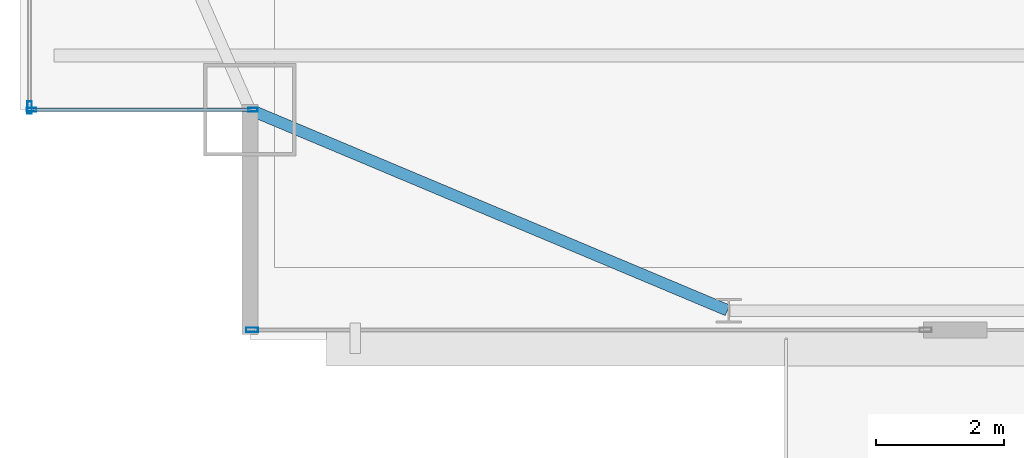
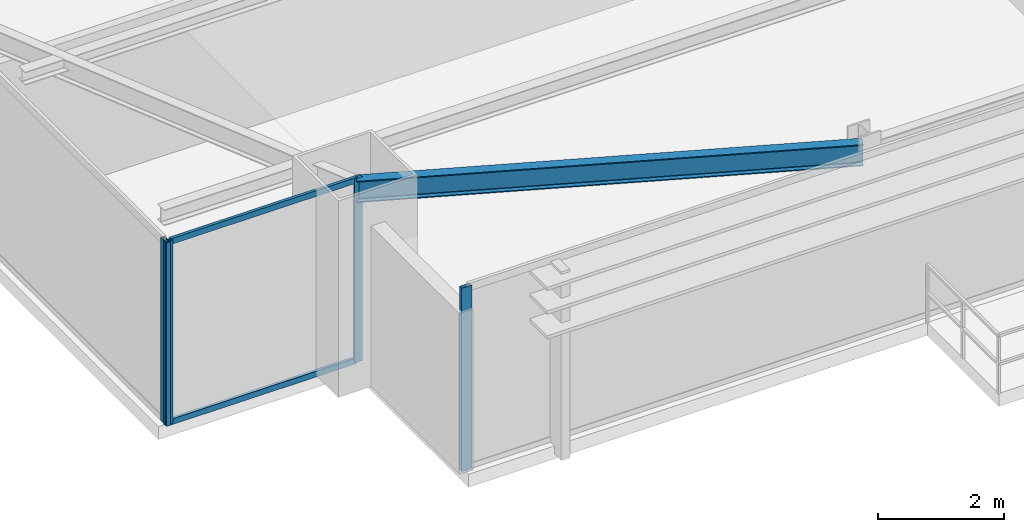
# One storey, part 3 of 32: 6 members, 1 beam, 3 elements without a shape of their own.
"""IFC4 building model written with IfcOpenShell, lengths in metres."""

from ifc_helpers import new_model, si_unit, direction, frame, origin, origin_2d, place, context, subcontext, project, spatial, hollow_rectangle, i_section, extrude, source, transform, mapped, material, layer, layer_set, material_profile, profile_set, type_object, type_shapes, element, aggregate, save


model = new_model("IFC4")

# Units and contexts
model_context = context("Model", 3, precision=1e-05, world=origin(), true_north=direction((0.0, 1.0)))
body_context = subcontext(model_context, "Body", "Model", "MODEL_VIEW")
ifc_project = project(units=[si_unit("LENGTHUNIT", "METRE"), si_unit("AREAUNIT", "SQUARE_METRE"), si_unit("VOLUMEUNIT", "CUBIC_METRE"), si_unit("PLANEANGLEUNIT", "RADIAN"), si_unit("MASSUNIT", "GRAM", prefix="KILO")], contexts=[model_context])

# Site, building, storey
site_placement = place(None, origin())
site = spatial("IfcSite", under=ifc_project, at=site_placement, CompositionType="ELEMENT")
building_placement = place(site_placement, origin())
building = spatial("IfcBuilding", under=site, at=building_placement, Name="Varnel Quay Broadcast Tower", CompositionType="ELEMENT")
storey_placement = place(building_placement, frame((0.0, 0.0, 133.39990234375)))
storey = spatial("IfcBuildingStorey", under=building, at=storey_placement, Name="L32", CompositionType="ELEMENT", Elevation=133.39990234375)

# Beam
ifc_material_1 = material(Name="Structural Steel CSA G40.21 350W", Category="steel")
ifc_material_profile_1 = material_profile(ifc_material_1, i_section(OverallWidth=0.180908203125, OverallDepth=0.4169921875, WebThickness=0.010986328125, FlangeThickness=0.018310546875, FilletRadius=0.011962890625, at=origin_2d()), Name="W410X85")
ifc_profile_set_1 = profile_set([ifc_material_profile_1], Name="Structural Steel CSA G40.21 350W")
beam_type = type_object("IfcBeamType", Name="Beam_W410X85", PredefinedType="SPANDREL", material=ifc_profile_set_1)
shared_shape_1 = source(origin(), body_context, "Body", "SweptSolid", [
    extrude(i_section(OverallWidth=0.180908203125, OverallDepth=0.4169921875, WebThickness=0.010986328125, FlangeThickness=0.018310546875, FilletRadius=0.011962890625, at=origin_2d()), origin(), (0.0, 0.0, 1.0), 8.0947265625),
])
type_shapes(beam_type, [shared_shape_1])
beam_placement = place(storey_placement, frame((8.118408203125, 7.792236328125, 3.341552734375), z_axis=(0.921981890247, -0.387232997117, 0.0), x_axis=(0.387232997117, 0.921981890247, 0.0)))
element("IfcBeam", 1, at=beam_placement, inside=storey, type_object=beam_type, Name="L32 South Spandrel MC-SW-TC-S1", PredefinedType="SPANDREL", context=body_context, shape_type="MappedRepresentation", body=[
    mapped(shared_shape_1, transform((0.0, 0.0, 0.0), x_axis=(1.0, 0.0, 0.0), y_axis=(0.0, 1.0, 0.0), z_axis=(0.0, 0.0, 1.0), scale=1.0)),
])

# Curtain wall, members
ifc_material_2 = material(Name="Anodised Bronze Aluminium 6063-T6", Category="aluminium")
ifc_layer_1 = layer(ifc_material_2, 0.18994140625, Name="Anodised Bronze Aluminium 6063-T6")
ifc_layer_set_1 = layer_set([ifc_layer_1], Name="Anodised Bronze Aluminium 6063-T6")
curtain_wall_type_1 = type_object("IfcCurtainWallType", Name="CW_NotchCorner", PredefinedType="NOTDEFINED", material=ifc_layer_set_1)
curtain_wall_1_placement = place(storey_placement, origin())
curtain_wall_1 = element("IfcCurtainWall", 2, at=curtain_wall_1_placement, inside=storey, type_object=curtain_wall_type_1, Name="L32 SW Notch Curtain Wall", PredefinedType="NOTDEFINED")
ifc_material_profile_2 = material_profile(ifc_material_2, hollow_rectangle(XDim=0.054931640625, YDim=0.110107421875, WallThickness=0.0029296875, at=origin_2d()), Name="ALU55X110X3")
ifc_profile_set_2 = profile_set([ifc_material_profile_2], Name="Anodised Bronze Aluminium 6063-T6")
member_type_1 = type_object("IfcMemberType", Name="Tran_CWS-04", PredefinedType="USERDEFINED", material=ifc_profile_set_2)
shared_shape_2 = source(origin(), body_context, "Body", "SweptSolid", [
    extrude(hollow_rectangle(XDim=0.054931640625, YDim=0.110107421875, WallThickness=0.0029296875, at=origin_2d()), origin(), (0.0, 0.0, 1.0), 3.41015625),
])
type_shapes(member_type_1, [shared_shape_2])
member_1_placement = place(storey_placement, frame((4.7099609375, 7.800048828125, 0.027587890625), z_axis=(1.0, 0.0, 0.0), x_axis=(0.0, 1.0, 0.0)))
member_1 = element("IfcMember", 3, at=member_1_placement, type_object=member_type_1, Name="CWS-04 transom 1.1", ObjectType="TRANSOM", PredefinedType="USERDEFINED", context=body_context, shape_type="MappedRepresentation", body=[
    mapped(shared_shape_2, transform((0.0, 0.0, 0.0), x_axis=(1.0, 0.0, 0.0), y_axis=(0.0, 1.0, 0.0), z_axis=(0.0, 0.0, 1.0), scale=1.0)),
])
member_2_placement = place(storey_placement, frame((4.7099609375, 7.800048828125, 3.522705078125), z_axis=(1.0, 0.0, 0.0), x_axis=(0.0, 1.0, 0.0)))
member_2 = element("IfcMember", 4, at=member_2_placement, type_object=member_type_1, Name="CWS-04 transom 1.2", ObjectType="TRANSOM", PredefinedType="USERDEFINED", context=body_context, shape_type="MappedRepresentation", body=[
    mapped(shared_shape_2, transform((0.0, 0.0, 0.0), x_axis=(1.0, 0.0, 0.0), y_axis=(0.0, 1.0, 0.0), z_axis=(0.0, 0.0, 1.0), scale=1.0)),
])

# Curtain wall, member
ifc_layer_2 = layer(ifc_material_2, 0.18994140625, Name="Anodised Bronze Aluminium 6063-T6")
ifc_layer_set_2 = layer_set([ifc_layer_2], Name="Anodised Bronze Aluminium 6063-T6")
curtain_wall_type_2 = type_object("IfcCurtainWallType", Name="CW_LowerTower", PredefinedType="NOTDEFINED", material=ifc_layer_set_2)
curtain_wall_2_placement = place(storey_placement, origin())
curtain_wall_2 = element("IfcCurtainWall", 5, at=curtain_wall_2_placement, inside=storey, type_object=curtain_wall_type_2, Name="L32 South Unitised Curtain Wall 1", PredefinedType="NOTDEFINED")
ifc_material_profile_3 = material_profile(ifc_material_2, hollow_rectangle(XDim=0.070068359375, YDim=0.18994140625, WallThickness=0.00390625, at=origin_2d()), Name="ALU70X190X4")
ifc_profile_set_3 = profile_set([ifc_material_profile_3], Name="Anodised Bronze Aluminium 6063-T6")
member_type_2 = type_object("IfcMemberType", Name="Mull_CWS-02", PredefinedType="MULLION", material=ifc_profile_set_3)
shared_shape_3 = source(origin(), body_context, "Body", "SweptSolid", [
    extrude(hollow_rectangle(XDim=0.070068359375, YDim=0.18994140625, WallThickness=0.00390625, at=origin_2d()), origin(), (0.0, 0.0, 1.0), 3.550048828125),
])
type_shapes(member_type_2, [shared_shape_3])
member_3_placement = place(storey_placement, frame((8.135009765625, 4.35009765625, 0.0), z_axis=(0.0, 0.0, 1.0), x_axis=(0.0, 1.0, 0.0)))
member_3 = element("IfcMember", 6, at=member_3_placement, type_object=member_type_2, Name="CWS-02 mullion 1", PredefinedType="MULLION", context=body_context, shape_type="MappedRepresentation", body=[
    mapped(shared_shape_3, transform((0.0, 0.0, 0.0), x_axis=(1.0, 0.0, 0.0), y_axis=(0.0, 1.0, 0.0), z_axis=(0.0, 0.0, 1.0), scale=1.0)),
])
aggregate(curtain_wall_2, [member_3])

curtain_wall_3_placement = place(storey_placement, origin())
curtain_wall_3 = element("IfcCurtainWall", 7, at=curtain_wall_3_placement, inside=storey, type_object=curtain_wall_type_2, Name="L32 West Unitised Curtain Wall", PredefinedType="NOTDEFINED")
member_4_placement = place(storey_placement, frame((4.64990234375, 7.8349609375, 0.0), z_axis=(0.0, 0.0, 1.0), x_axis=(-1.0, 0.0, 0.0)))
member_4 = element("IfcMember", 8, at=member_4_placement, type_object=member_type_2, Name="CWS-02 mullion 1", PredefinedType="MULLION", context=body_context, shape_type="MappedRepresentation", body=[
    mapped(shared_shape_3, transform((0.0, 0.0, 0.0), x_axis=(1.0, 0.0, 0.0), y_axis=(0.0, 1.0, 0.0), z_axis=(0.0, 0.0, 1.0), scale=1.0)),
])
aggregate(curtain_wall_3, [member_4])

# Member
ifc_material_profile_4 = material_profile(ifc_material_2, hollow_rectangle(XDim=0.06005859375, YDim=0.14501953125, WallThickness=0.00341796875, at=origin_2d()), Name="ALU60X145X3.5")
ifc_profile_set_4 = profile_set([ifc_material_profile_4], Name="Anodised Bronze Aluminium 6063-T6")
member_type_3 = type_object("IfcMemberType", Name="Mull_CWS-04", PredefinedType="MULLION", material=ifc_profile_set_4)
shared_shape_4 = source(origin(), body_context, "Body", "SweptSolid", [
    extrude(hollow_rectangle(XDim=0.06005859375, YDim=0.14501953125, WallThickness=0.00341796875, at=origin_2d()), origin(), (0.0, 0.0, 1.0), 3.550048828125),
])
type_shapes(member_type_3, [shared_shape_4])
member_5_placement = place(storey_placement, frame((4.679931640625, 7.800048828125, 0.0), z_axis=(0.0, 0.0, 1.0), x_axis=(0.0, 1.0, 0.0)))
member_5 = element("IfcMember", 9, at=member_5_placement, type_object=member_type_3, Name="CWS-04 mullion 1", PredefinedType="MULLION", context=body_context, shape_type="MappedRepresentation", body=[
    mapped(shared_shape_4, transform((0.0, 0.0, 0.0), x_axis=(1.0, 0.0, 0.0), y_axis=(0.0, 1.0, 0.0), z_axis=(0.0, 0.0, 1.0), scale=1.0)),
])

member_6_placement = place(storey_placement, frame((8.14990234375, 7.800048828125, 0.0), z_axis=(0.0, 0.0, 1.0), x_axis=(0.0, 1.0, 0.0)))
member_6 = element("IfcMember", 10, at=member_6_placement, type_object=member_type_3, Name="CWS-04 mullion 2", PredefinedType="MULLION", context=body_context, shape_type="MappedRepresentation", body=[
    mapped(shared_shape_4, transform((0.0, 0.0, 0.0), x_axis=(1.0, 0.0, 0.0), y_axis=(0.0, 1.0, 0.0), z_axis=(0.0, 0.0, 1.0), scale=1.0)),
])

aggregate(curtain_wall_1, [member_5, member_6, member_1, member_2])

save(model, "model.ifc")
